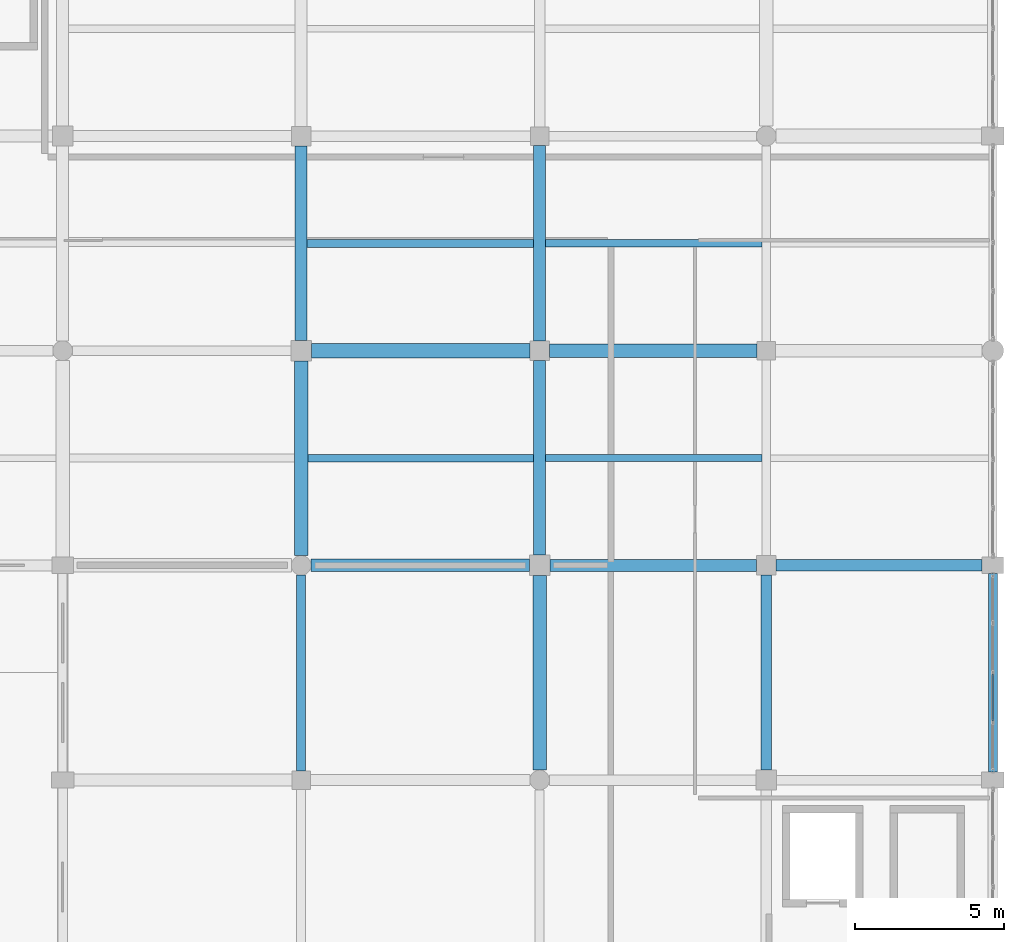
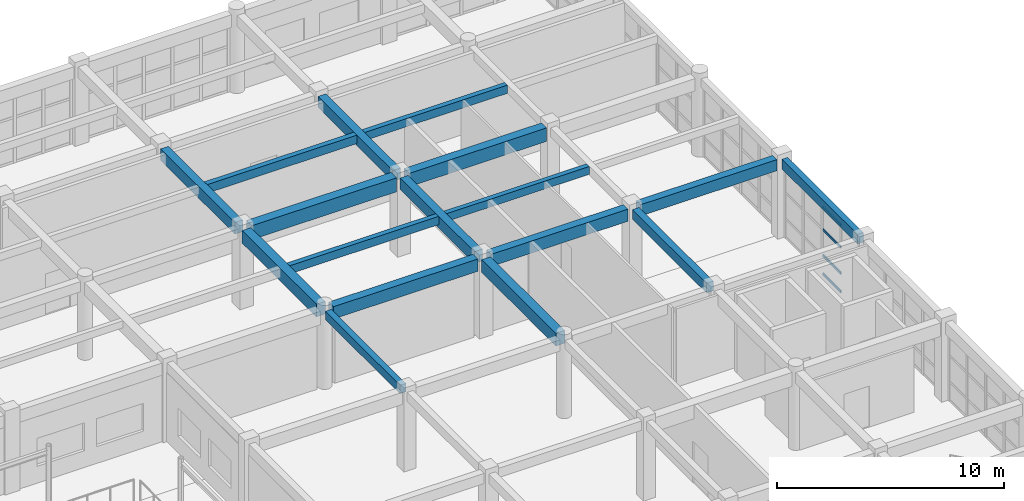
# One storey, part 105 of 160: 17 beams, 4 members, 1 element without a shape of its own.
"""IFC4 building model written with IfcOpenShell, lengths in metres."""

import ifcopenshell
import ifcopenshell.guid

model = None  # the IFC model being written
_history = None  # IfcOwnerHistory: only IFC2X3 demands one
_inside = {}  # id of a spatial element -> (the spatial element, [elements in it])
_under = {}  # id of a project, library or spatial element -> (it, [spatial elements below it])
_declared = {}  # id of a project -> (the project, [libraries it declares])
_typed = {}  # id of a type object -> (the type object, [elements of that type])
_made_of = {}  # id of a material, layer set ... -> (it, [elements and type objects made of it])


def new_model(schema):
    """Start an empty IFC model of exactly this schema.

    Asked for "IFC4X3", IfcOpenShell would pick the latest addendum, in which some entities
    have other attributes; the version numbers below select the first issue.
    IFC2X3 requires an IfcOwnerHistory on every rooted entity: one is made here for all.
    """
    global model, _history
    if schema == "IFC4X3":
        model = ifcopenshell.file(schema_version=(4, 3, 0, 0))
    else:
        model = ifcopenshell.file(schema=schema)
    _inside.clear()
    _under.clear()
    _declared.clear()
    _typed.clear()
    _made_of.clear()
    _history = None
    if model.schema == "IFC2X3":
        org = make("IfcOrganization", Name="unknown")
        user = make(
            "IfcPersonAndOrganization",
            ThePerson=make("IfcPerson", FamilyName="unknown"),
            TheOrganization=org,
        )
        app = make(
            "IfcApplication",
            ApplicationDeveloper=org,
            Version="unknown",
            ApplicationFullName="unknown",
            ApplicationIdentifier="unknown",
        )
        _history = make(
            "IfcOwnerHistory",
            OwningUser=user,
            OwningApplication=app,
            ChangeAction="ADDED",
            CreationDate=0,
        )
    return model


def make(cls, **values):
    """One entity of the class cls with the attributes given. An attribute that is None is left unset."""
    return model.create_entity(
        cls, **{name: value for name, value in values.items() if value is not None}
    )


def rooted(cls, **values):
    """An entity with a GlobalId (a new one), such as an element, a storey or a relation."""
    return make(cls, GlobalId=ifcopenshell.guid.new(), OwnerHistory=_history, **values)


def si_unit(unit_type, name, prefix=None):
    """IfcSIUnit, for example si_unit("LENGTHUNIT", "METRE", prefix="MILLI")."""
    return make("IfcSIUnit", UnitType=unit_type, Prefix=prefix, Name=name)


def assignment(units):
    """IfcUnitAssignment: the units of a project."""
    return None if units is None else make("IfcUnitAssignment", Units=units)


def point(xyz):
    """IfcCartesianPoint."""
    return None if xyz is None else make("IfcCartesianPoint", Coordinates=xyz)


def direction(xyz):
    """IfcDirection."""
    return None if xyz is None else make("IfcDirection", DirectionRatios=xyz)


def frame(location, z_axis=None, x_axis=None):
    """IfcAxis2Placement3D, a coordinate frame: its origin and axes. An axis left out is left unset."""
    return make(
        "IfcAxis2Placement3D",
        Location=point(location),
        Axis=direction(z_axis),
        RefDirection=direction(x_axis),
    )


def frame_2d(location, x_axis=None):
    """IfcAxis2Placement2D, a coordinate frame in the plane: its origin and x axis."""
    return make(
        "IfcAxis2Placement2D", Location=point(location), RefDirection=direction(x_axis)
    )


def origin():
    """The frame at (0, 0, 0) with its axes left unset."""
    return frame((0.0, 0.0, 0.0))


def origin_2d():
    """The frame at (0, 0) in the plane with its x axis left unset."""
    return frame_2d((0.0, 0.0))


def place(relative_to, where):
    """IfcLocalPlacement: puts the frame where relative to a parent placement (None: the world)."""
    return make(
        "IfcLocalPlacement", PlacementRelTo=relative_to, RelativePlacement=where
    )


def context(
    kind, dimensions, precision=None, world=None, true_north=None, identifier=None
):
    """IfcGeometricRepresentationContext, for example the 3D "Model" context."""
    return make(
        "IfcGeometricRepresentationContext",
        ContextIdentifier=identifier,
        ContextType=kind,
        CoordinateSpaceDimension=dimensions,
        Precision=precision,
        WorldCoordinateSystem=world,
        TrueNorth=true_north,
    )


def subcontext(parent, identifier, kind, view, scale=None):
    """IfcGeometricRepresentationSubContext, for example "Body" below "Model"."""
    return make(
        "IfcGeometricRepresentationSubContext",
        ContextIdentifier=identifier,
        ContextType=kind,
        ParentContext=parent,
        TargetScale=scale,
        TargetView=view,
    )


def project(units=None, contexts=None):
    """IfcProject with its units and contexts."""
    return rooted(
        "IfcProject",
        Name="project",
        RepresentationContexts=contexts,
        UnitsInContext=assignment(units),
    )


def spatial(cls, under=None, at=None, **own):
    """A site, building, storey or space (cls), placed at a placement, below another one or the project."""
    s = rooted(cls, ObjectPlacement=at, **own)
    if under is not None:
        _under.setdefault(under.id(), (under, []))[1].append(s)
    return s


def profile(cls, at=None, kind="AREA", **sizes):
    """A parametric profile (cls). Its sizes go by their IFC names, for example OverallWidth=200.0."""
    return make(cls, ProfileType=kind, Position=at, **sizes)


def rectangle(**sizes):
    """IfcRectangleProfileDef."""
    return profile("IfcRectangleProfileDef", **sizes)


def hollow_rectangle(**sizes):
    """IfcRectangleHollowProfileDef."""
    return profile("IfcRectangleHollowProfileDef", **sizes)


def extrude(swept, where, along, depth):
    """IfcExtrudedAreaSolid: the profile swept, set in the frame where, extruded along a direction by depth."""
    return make(
        "IfcExtrudedAreaSolid",
        SweptArea=swept,
        Position=where,
        ExtrudedDirection=direction(along),
        Depth=depth,
    )


def shape(context_of_items, identifier, shape_type, items):
    """IfcShapeRepresentation: the items that make up one representation, for example the "Body"."""
    return make(
        "IfcShapeRepresentation",
        ContextOfItems=context_of_items,
        RepresentationIdentifier=identifier,
        RepresentationType=shape_type,
        Items=items,
    )


def material(Name=None, Category=None):
    """IfcMaterial."""
    return make("IfcMaterial", Name=Name, Category=Category)


def material_profile(
    of_material, cross_section, Name=None, Category=None, Priority=None
):
    """IfcMaterialProfile: a cross section and its material."""
    return make(
        "IfcMaterialProfile",
        Name=Name,
        Material=of_material,
        Profile=cross_section,
        Priority=Priority,
        Category=Category,
    )


def profile_set(profiles, Name=None, composite=None):
    """IfcMaterialProfileSet."""
    return make(
        "IfcMaterialProfileSet",
        Name=Name,
        MaterialProfiles=profiles,
        CompositeProfile=composite,
    )


def made_of(thing, what):
    """Note that an element or type object is made of a material, layer set ...; save() writes the relation."""
    if what is not None:
        _made_of.setdefault(what.id(), (what, []))[1].append(thing)
    return thing


def type_object(cls, material=None, **own):
    """A type object (cls), such as IfcWallType, which elements share."""
    return made_of(rooted(cls, **own), material)


def element(
    cls,
    number,
    at=None,
    inside=None,
    cuts=None,
    type_object=None,
    material=None,
    context=None,
    identifier="Body",
    shape_type=None,
    held_by="IfcProductDefinitionShape",
    body=None,
    shapes=None,
    **own,
):
    """One element of the class cls, such as IfcWall. Its Tag is "e" and its number.

    at: its placement. inside: the storey or other place that contains it. cuts: it is an
    opening in that element (IfcRelVoidsElement). A single representation is given by context,
    identifier, shape_type and body (its items); several are given by shapes. held_by: the class
    of the entity that holds the representations. save() writes the other relations.
    """
    e = rooted(cls, Tag="e%d" % number, ObjectPlacement=at, **own)
    if body is not None:
        shapes = [shape(context, identifier, shape_type, body)]
    if shapes is not None:
        e.Representation = make(held_by, Representations=shapes)
    if inside is not None:
        _inside.setdefault(inside.id(), (inside, []))[1].append(e)
    if cuts is not None:
        rooted(
            "IfcRelVoidsElement", RelatingBuildingElement=cuts, RelatedOpeningElement=e
        )
    if type_object is not None:
        _typed.setdefault(type_object.id(), (type_object, []))[1].append(e)
    return made_of(e, material)


def aggregate(whole, parts):
    """IfcRelAggregates: a whole, such as a stair, and the parts it consists of."""
    return rooted("IfcRelAggregates", RelatingObject=whole, RelatedObjects=parts)


def save(model, path):
    """Write the relations noted so far, then the file.

    IfcRelAggregates (storeys below a building ...), IfcRelContainedInSpatialStructure (elements
    in a storey), IfcRelDefinesByType, IfcRelAssociatesMaterial and IfcRelDeclares: one each for
    every whole, place, type object, material and project.
    """
    for whole, parts in _under.values():
        aggregate(whole, parts)
    for where, things in _inside.values():
        rooted(
            "IfcRelContainedInSpatialStructure",
            RelatedElements=things,
            RelatingStructure=where,
        )
    for kind, things in _typed.values():
        rooted("IfcRelDefinesByType", RelatedObjects=things, RelatingType=kind)
    for what, things in _made_of.values():
        rooted("IfcRelAssociatesMaterial", RelatedObjects=things, RelatingMaterial=what)
    for by, libraries in _declared.values():
        rooted("IfcRelDeclares", RelatingContext=by, RelatedDefinitions=libraries)
    model.write(path)


model = new_model("IFC4")

# Units and contexts
model_context = context("Model", 3, precision=1e-05, world=origin(), true_north=direction((0.0, 1.0)))
body_context = subcontext(model_context, "Body", "Model", "MODEL_VIEW")
ifc_project = project(units=[si_unit("LENGTHUNIT", "METRE"), si_unit("AREAUNIT", "SQUARE_METRE"), si_unit("VOLUMEUNIT", "CUBIC_METRE"), si_unit("PLANEANGLEUNIT", "RADIAN"), si_unit("MASSUNIT", "GRAM", prefix="KILO")], contexts=[model_context])

# Site, building, storey
site_placement = place(None, origin())
site = spatial("IfcSite", under=ifc_project, at=site_placement, CompositionType="ELEMENT")
building_placement = place(site_placement, origin())
building = spatial("IfcBuilding", under=site, at=building_placement, Name="Kharva Crest Polytechnic", CompositionType="ELEMENT")
storey_placement = place(building_placement, frame((0.0, 0.0, 4.5)))
storey = spatial("IfcBuildingStorey", under=building, at=storey_placement, Name="L01", CompositionType="ELEMENT", Elevation=4.5)

# Beams
ifc_material_1 = material(Name="Concrete C35/45", Category="concrete")
ifc_material_profile_1 = material_profile(ifc_material_1, rectangle(XDim=0.300048828125, YDim=0.449951171875, at=origin_2d()), Name="RECT 300 X 450")
ifc_profile_set_1 = profile_set([ifc_material_profile_1], Name="Concrete C35/45")
beam_type_1 = type_object("IfcBeamType", Name="BM-RC-300X450", PredefinedType="BEAM", material=ifc_profile_set_1)
beam_1_placement = place(storey_placement, frame((160.800048828125, 93.510009765625, 3.9951171875), z_axis=(0.0, 1.0, 0.0), x_axis=(-1.0, 0.0, 0.0)))
element("IfcBeam", 1, at=beam_1_placement, inside=storey, type_object=beam_type_1, Name="L01 Girder 21/N-P", PredefinedType="BEAM", context=body_context, shape_type="SweptSolid", body=[
    extrude(rectangle(XDim=0.300048828125, YDim=0.449951171875, at=origin_2d()), origin(), (0.0, 0.0, 1.0), 6.56005859375),
])
ifc_material_profile_2 = material_profile(ifc_material_1, rectangle(XDim=0.340087890625, YDim=0.52001953125, at=origin_2d()), Name="RECT 340 X 520")
ifc_profile_set_2 = profile_set([ifc_material_profile_2], Name="Concrete C35/45")
beam_type_2 = type_object("IfcBeamType", Name="BM-RC-340X520", PredefinedType="BEAM", material=ifc_profile_set_2)
beam_2_placement = place(storey_placement, frame((176.39990234375, 93.5400390625, 3.9599609375), z_axis=(0.0, 1.0, 0.0), x_axis=(-1.0, 0.0, 0.0)))
element("IfcBeam", 2, at=beam_2_placement, inside=storey, type_object=beam_type_2, Name="L01 Girder 23/N-P", PredefinedType="BEAM", context=body_context, shape_type="SweptSolid", body=[
    extrude(rectangle(XDim=0.340087890625, YDim=0.52001953125, at=origin_2d()), origin(), (0.0, 0.0, 1.0), 6.534912109375),
])
ifc_material_profile_3 = material_profile(ifc_material_1, rectangle(XDim=0.3798828125, YDim=0.60009765625, at=origin_2d()), Name="RECT 380 X 600")
ifc_profile_set_3 = profile_set([ifc_material_profile_3], Name="Concrete C35/45")
beam_type_3 = type_object("IfcBeamType", Name="BM-RC-380X600", PredefinedType="BEAM", material=ifc_profile_set_3)
beam_3_placement = place(storey_placement, frame((176.72509765625, 100.39990234375, 3.919921875), z_axis=(1.0, 0.0, 0.0), x_axis=(0.0, 1.0, 0.0)))
element("IfcBeam", 3, at=beam_3_placement, inside=storey, type_object=beam_type_3, Name="L01 Beam P/23-24", PredefinedType="BEAM", context=body_context, shape_type="SweptSolid", body=[
    extrude(rectangle(XDim=0.3798828125, YDim=0.60009765625, at=origin_2d()), origin(), (0.0, 0.0, 1.0), 6.914794921875),
])
ifc_material_profile_4 = material_profile(ifc_material_1, rectangle(XDim=0.39990234375, YDim=0.580078125, at=origin_2d()), Name="RECT 400 X 580")
ifc_profile_set_4 = profile_set([ifc_material_profile_4], Name="Concrete C35/45")
beam_type_4 = type_object("IfcBeamType", Name="BM-RC-400X580", PredefinedType="BEAM", material=ifc_profile_set_4)
beam_4_placement = place(storey_placement, frame((168.800048828125, 107.925048828125, 3.929931640625), z_axis=(0.0, 1.0, 0.0), x_axis=(-1.0, 0.0, 0.0)))
element("IfcBeam", 4, at=beam_4_placement, inside=storey, type_object=beam_type_4, Name="L01 Girder 22/Q-R", PredefinedType="BEAM", context=body_context, shape_type="SweptSolid", body=[
    extrude(rectangle(XDim=0.39990234375, YDim=0.580078125, at=origin_2d()), origin(), (0.0, 0.0, 1.0), 6.56494140625),
])
ifc_material_profile_5 = material_profile(ifc_material_1, rectangle(XDim=0.39990234375, YDim=0.6201171875, at=origin_2d()), Name="RECT 400 X 620")
ifc_profile_set_5 = profile_set([ifc_material_profile_5], Name="Concrete C35/45")
beam_type_5 = type_object("IfcBeamType", Name="BM-RC-400X620", PredefinedType="BEAM", material=ifc_profile_set_5)
beam_5_placement = place(storey_placement, frame((160.800048828125, 107.93994140625, 3.909912109375), z_axis=(0.0, 1.0, 0.0), x_axis=(-1.0, 0.0, 0.0)))
element("IfcBeam", 5, at=beam_5_placement, inside=storey, type_object=beam_type_5, Name="L01 Girder 21/Q-R", PredefinedType="BEAM", context=body_context, shape_type="SweptSolid", body=[
    extrude(rectangle(XDim=0.39990234375, YDim=0.6201171875, at=origin_2d()), origin(), (0.0, 0.0, 1.0), 6.53515625),
])
beam_6_placement = place(storey_placement, frame((168.800048828125, 100.739990234375, 3.909912109375), z_axis=(0.0, 1.0, 0.0), x_axis=(-1.0, 0.0, 0.0)))
element("IfcBeam", 6, at=beam_6_placement, inside=storey, type_object=beam_type_5, Name="L01 Girder 22/P-Q", PredefinedType="BEAM", context=body_context, shape_type="SweptSolid", body=[
    extrude(rectangle(XDim=0.39990234375, YDim=0.6201171875, at=origin_2d()), origin(), (0.0, 0.0, 1.0), 6.534912109375),
])
ifc_material_profile_6 = material_profile(ifc_material_1, rectangle(XDim=0.39990234375, YDim=0.64990234375, at=origin_2d()), Name="RECT 400 X 650")
ifc_profile_set_6 = profile_set([ifc_material_profile_6], Name="Concrete C35/45")
beam_type_6 = type_object("IfcBeamType", Name="BM-RC-400X650", PredefinedType="BEAM", material=ifc_profile_set_6)
beam_7_placement = place(storey_placement, frame((169.139892578125, 100.39990234375, 3.89501953125), z_axis=(1.0, 0.0, 0.0), x_axis=(0.0, 1.0, 0.0)))
element("IfcBeam", 7, at=beam_7_placement, inside=storey, type_object=beam_type_6, Name="L01 Beam P/22-23", PredefinedType="BEAM", context=body_context, shape_type="SweptSolid", body=[
    extrude(rectangle(XDim=0.39990234375, YDim=0.64990234375, at=origin_2d()), origin(), (0.0, 0.0, 1.0), 6.93505859375),
])
ifc_material_profile_7 = material_profile(ifc_material_1, rectangle(XDim=0.419921875, YDim=0.659912109375, at=origin_2d()), Name="RECT 420 X 660")
ifc_profile_set_7 = profile_set([ifc_material_profile_7], Name="Concrete C35/45")
beam_type_7 = type_object("IfcBeamType", Name="BM-RC-420X660", PredefinedType="BEAM", material=ifc_profile_set_7)
beam_8_placement = place(storey_placement, frame((161.1298828125, 100.39990234375, 3.889892578125), z_axis=(1.0, 0.0, 0.0), x_axis=(0.0, 1.0, 0.0)))
element("IfcBeam", 8, at=beam_8_placement, inside=storey, type_object=beam_type_7, Name="L01 Beam P/21-22", PredefinedType="BEAM", context=body_context, shape_type="SweptSolid", body=[
    extrude(rectangle(XDim=0.419921875, YDim=0.659912109375, at=origin_2d()), origin(), (0.0, 0.0, 1.0), 7.330078125),
])
ifc_material_profile_8 = material_profile(ifc_material_1, rectangle(XDim=0.449951171875, YDim=0.679931640625, at=origin_2d()), Name="RECT 450 X 680")
ifc_profile_set_8 = profile_set([ifc_material_profile_8], Name="Concrete C35/45")
beam_type_8 = type_object("IfcBeamType", Name="BM-RC-450X680", PredefinedType="BEAM", material=ifc_profile_set_8)
for number, where, z_axis, x_axis, name in (
    (9, (160.800048828125, 100.72998046875, 3.8798828125), (0.0, 1.0, 0.0), (-1.0, 0.0, 0.0), "L01 Girder 21/P-Q"),
    (10, (168.800048828125, 93.530029296875, 3.8798828125), (0.0, 1.0, 0.0), (-1.0, 0.0, 0.0), "L01 Girder 22/N-P"),
):
    element("IfcBeam", number, at=place(storey_placement, frame(where, z_axis=z_axis, x_axis=x_axis)), inside=storey, type_object=beam_type_8, Name=name, PredefinedType="BEAM", context=body_context, shape_type="SweptSolid", body=[
        extrude(rectangle(XDim=0.449951171875, YDim=0.679931640625, at=origin_2d()), origin(), (0.0, 0.0, 1.0), 6.530029296875),
    ])
ifc_material_profile_9 = material_profile(ifc_material_1, rectangle(XDim=0.449951171875, YDim=0.719970703125, at=origin_2d()), Name="RECT 450 X 720")
ifc_profile_set_9 = profile_set([ifc_material_profile_9], Name="Concrete C35/45")
beam_type_9 = type_object("IfcBeamType", Name="BM-RC-450X720", PredefinedType="BEAM", material=ifc_profile_set_9)
beam_9_placement = place(storey_placement, frame((169.125, 107.60009765625, 3.860107421875), z_axis=(1.0, 0.0, 0.0), x_axis=(0.0, 1.0, 0.0)))
element("IfcBeam", 11, at=beam_9_placement, inside=storey, type_object=beam_type_9, Name="L01 Beam Q/22-23", PredefinedType="BEAM", context=body_context, shape_type="SweptSolid", body=[
    extrude(rectangle(XDim=0.449951171875, YDim=0.719970703125, at=origin_2d()), origin(), (0.0, 0.0, 1.0), 6.965087890625),
])
ifc_material_profile_10 = material_profile(ifc_material_1, rectangle(XDim=0.47998046875, YDim=0.75, at=origin_2d()), Name="RECT 480 X 750")
ifc_profile_set_10 = profile_set([ifc_material_profile_10], Name="Concrete C35/45")
beam_type_10 = type_object("IfcBeamType", Name="BM-RC-480X750", PredefinedType="BEAM", material=ifc_profile_set_10)
beam_10_placement = place(storey_placement, frame((161.139892578125, 107.60009765625, 3.844970703125), z_axis=(1.0, 0.0, 0.0), x_axis=(0.0, 1.0, 0.0)))
element("IfcBeam", 12, at=beam_10_placement, inside=storey, type_object=beam_type_10, Name="L01 Beam Q/21-22", PredefinedType="BEAM", context=body_context, shape_type="SweptSolid", body=[
    extrude(rectangle(XDim=0.47998046875, YDim=0.75, at=origin_2d()), origin(), (0.0, 0.0, 1.0), 7.335205078125),
])

# Curtain wall, members
ifc_material_2 = material(Name="Tempered insulated glass", Category="glass")
curtain_wall_type = type_object("IfcCurtainWallType", Name="CW-SYS-COURT", PredefinedType="USERDEFINED", material=ifc_material_2)
curtain_wall_placement = place(storey_placement, origin())
curtain_wall = element("IfcCurtainWall", 13, at=curtain_wall_placement, inside=storey, type_object=curtain_wall_type, Name="L01 Glazed Curtain Wall CW-064", ObjectType="CURTAIN WALL", PredefinedType="USERDEFINED")
ifc_material_3 = material(Name="Steel S355", Category="steel")
ifc_material_profile_11 = material_profile(ifc_material_3, hollow_rectangle(XDim=0.06005859375, YDim=0.1201171875, WallThickness=0.00390625, at=origin_2d()), Name="RHS 120X60X4.0")
ifc_profile_set_11 = profile_set([ifc_material_profile_11], Name="Steel S355")
member_type = type_object("IfcMemberType", Name="CWT-RHS120X60", PredefinedType="USERDEFINED", material=ifc_profile_set_11)
member_1_placement = place(storey_placement, frame((184.0, 95.179931640625, 0.06005859375), z_axis=(0.0, 1.0, 0.0), x_axis=(-1.0, 0.0, 0.0)))
member_1 = element("IfcMember", 14, at=member_1_placement, type_object=member_type, Name="CW-064 transom 2.1", ObjectType="TRANSOM", PredefinedType="USERDEFINED", context=body_context, shape_type="SweptSolid", body=[
    extrude(hollow_rectangle(XDim=0.06005859375, YDim=0.1201171875, WallThickness=0.00390625, at=origin_2d()), origin(), (0.0, 0.0, 1.0), 1.580078125),
])
member_2_placement = place(storey_placement, frame((184.0, 95.179931640625, 1.050048828125), z_axis=(0.0, 1.0, 0.0), x_axis=(-1.0, 0.0, 0.0)))
member_2 = element("IfcMember", 15, at=member_2_placement, type_object=member_type, Name="CW-064 transom 2.2", ObjectType="TRANSOM", PredefinedType="USERDEFINED", context=body_context, shape_type="SweptSolid", body=[
    extrude(hollow_rectangle(XDim=0.06005859375, YDim=0.1201171875, WallThickness=0.00390625, at=origin_2d()), origin(), (0.0, 0.0, 1.0), 1.580078125),
])
member_3_placement = place(storey_placement, frame((184.0, 95.179931640625, 2.449951171875), z_axis=(0.0, 1.0, 0.0), x_axis=(-1.0, 0.0, 0.0)))
member_3 = element("IfcMember", 16, at=member_3_placement, type_object=member_type, Name="CW-064 transom 2.3", ObjectType="TRANSOM", PredefinedType="USERDEFINED", context=body_context, shape_type="SweptSolid", body=[
    extrude(hollow_rectangle(XDim=0.06005859375, YDim=0.1201171875, WallThickness=0.00390625, at=origin_2d()), origin(), (0.0, 0.0, 1.0), 1.580078125),
])
member_4_placement = place(storey_placement, frame((184.0, 95.179931640625, 3.639892578125), z_axis=(0.0, 1.0, 0.0), x_axis=(-1.0, 0.0, 0.0)))
member_4 = element("IfcMember", 17, at=member_4_placement, type_object=member_type, Name="CW-064 transom 2.4", ObjectType="TRANSOM", PredefinedType="USERDEFINED", context=body_context, shape_type="SweptSolid", body=[
    extrude(hollow_rectangle(XDim=0.06005859375, YDim=0.1201171875, WallThickness=0.00390625, at=origin_2d()), origin(), (0.0, 0.0, 1.0), 1.580078125),
])
aggregate(curtain_wall, [member_1, member_2, member_3, member_4])

# Beams
ifc_material_profile_12 = material_profile(ifc_material_1, rectangle(XDim=0.239990234375, YDim=0.419921875, at=origin_2d()), Name="RECT 240 X 420")
ifc_profile_set_12 = profile_set([ifc_material_profile_12], Name="Concrete C35/45")
beam_type_11 = type_object("IfcBeamType", Name="JS-RC-240X420", PredefinedType="JOIST", material=ifc_profile_set_12)
beam_11_placement = place(storey_placement, frame((169.0, 104.0, 4.010009765625), z_axis=(1.0, 0.0, 0.0), x_axis=(0.0, 1.0, 0.0)))
element("IfcBeam", 18, at=beam_11_placement, inside=storey, type_object=beam_type_11, Name="L01 Floor Joist 24", PredefinedType="JOIST", context=body_context, shape_type="SweptSolid", body=[
    extrude(rectangle(XDim=0.239990234375, YDim=0.419921875, at=origin_2d()), origin(), (0.0, 0.0, 1.0), 7.25),
])
ifc_material_profile_13 = material_profile(ifc_material_1, rectangle(XDim=0.25, YDim=0.43994140625, at=origin_2d()), Name="RECT 250 X 440")
ifc_profile_set_13 = profile_set([ifc_material_profile_13], Name="Concrete C35/45")
beam_type_12 = type_object("IfcBeamType", Name="JS-RC-250X440", PredefinedType="JOIST", material=ifc_profile_set_13)
beam_12_placement = place(storey_placement, frame((161.02490234375, 104.0, 4.0), z_axis=(1.0, 0.0, 0.0), x_axis=(0.0, 1.0, 0.0)))
element("IfcBeam", 19, at=beam_12_placement, inside=storey, type_object=beam_type_12, Name="L01 Floor Joist 23", PredefinedType="JOIST", context=body_context, shape_type="SweptSolid", body=[
    extrude(rectangle(XDim=0.25, YDim=0.43994140625, at=origin_2d()), origin(), (0.0, 0.0, 1.0), 7.5751953125),
])
beam_13_placement = place(storey_placement, frame((169.0, 111.199951171875, 4.0), z_axis=(1.0, 0.0, 0.0), x_axis=(0.0, 1.0, 0.0)))
element("IfcBeam", 20, at=beam_13_placement, inside=storey, type_object=beam_type_12, Name="L01 Floor Joist 43", PredefinedType="JOIST", context=body_context, shape_type="SweptSolid", body=[
    extrude(rectangle(XDim=0.25, YDim=0.43994140625, at=origin_2d()), origin(), (0.0, 0.0, 1.0), 7.25),
])
ifc_material_profile_14 = material_profile(ifc_material_1, rectangle(XDim=0.260009765625, YDim=0.4599609375, at=origin_2d()), Name="RECT 260 X 460")
ifc_profile_set_14 = profile_set([ifc_material_profile_14], Name="Concrete C35/45")
beam_type_13 = type_object("IfcBeamType", Name="JS-RC-260X460", PredefinedType="JOIST", material=ifc_profile_set_14)
beam_14_placement = place(storey_placement, frame((161.0, 111.199951171875, 3.989990234375), z_axis=(1.0, 0.0, 0.0), x_axis=(0.0, 1.0, 0.0)))
element("IfcBeam", 21, at=beam_14_placement, inside=storey, type_object=beam_type_13, Name="L01 Floor Joist 42", PredefinedType="JOIST", context=body_context, shape_type="SweptSolid", body=[
    extrude(rectangle(XDim=0.260009765625, YDim=0.4599609375, at=origin_2d()), origin(), (0.0, 0.0, 1.0), 7.60009765625),
])
ifc_material_profile_15 = material_profile(ifc_material_1, rectangle(XDim=0.300048828125, YDim=0.52001953125, at=origin_2d()), Name="RECT 300 X 520")
ifc_profile_set_15 = profile_set([ifc_material_profile_15], Name="Concrete C35/45")
beam_type_14 = type_object("IfcBeamType", Name="SP-RC-300X520", PredefinedType="SPANDREL", material=ifc_profile_set_15)
beam_15_placement = place(storey_placement, frame((184.0, 93.47509765625, 3.9599609375), z_axis=(0.0, 1.0, 0.0), x_axis=(-1.0, 0.0, 0.0)))
element("IfcBeam", 22, at=beam_15_placement, inside=storey, type_object=beam_type_14, Name="L01 Girder 24/N-P", PredefinedType="SPANDREL", context=body_context, shape_type="SweptSolid", body=[
    extrude(rectangle(XDim=0.300048828125, YDim=0.52001953125, at=origin_2d()), origin(), (0.0, 0.0, 1.0), 6.64990234375),
])

save(model, "model.ifc")
